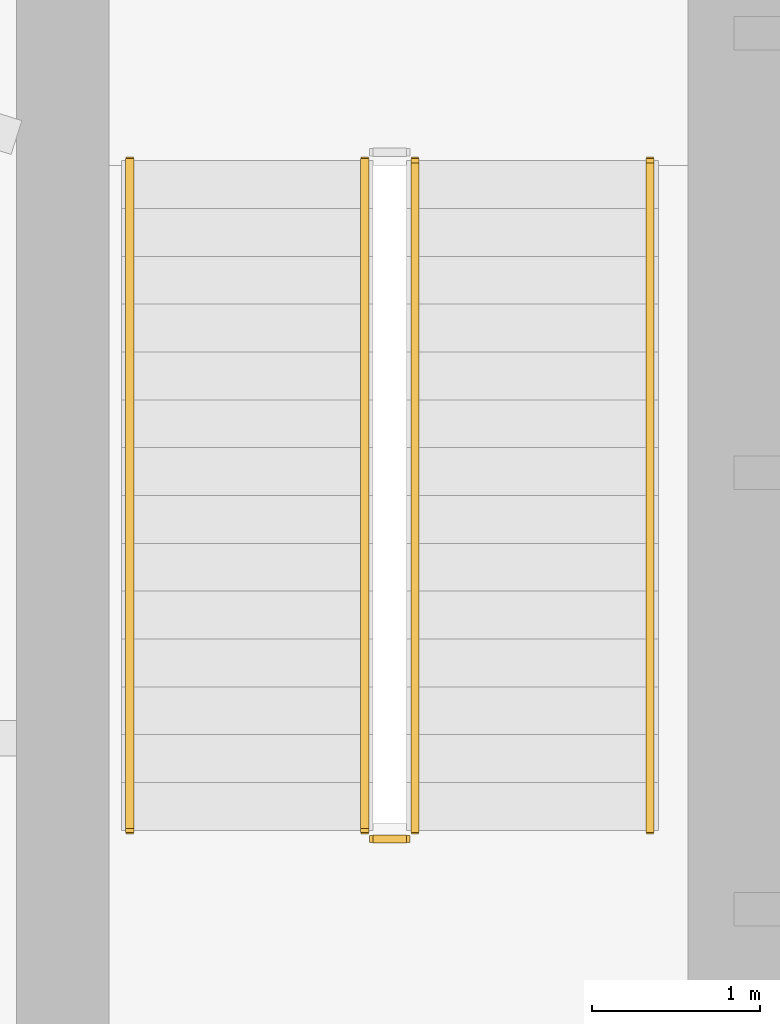
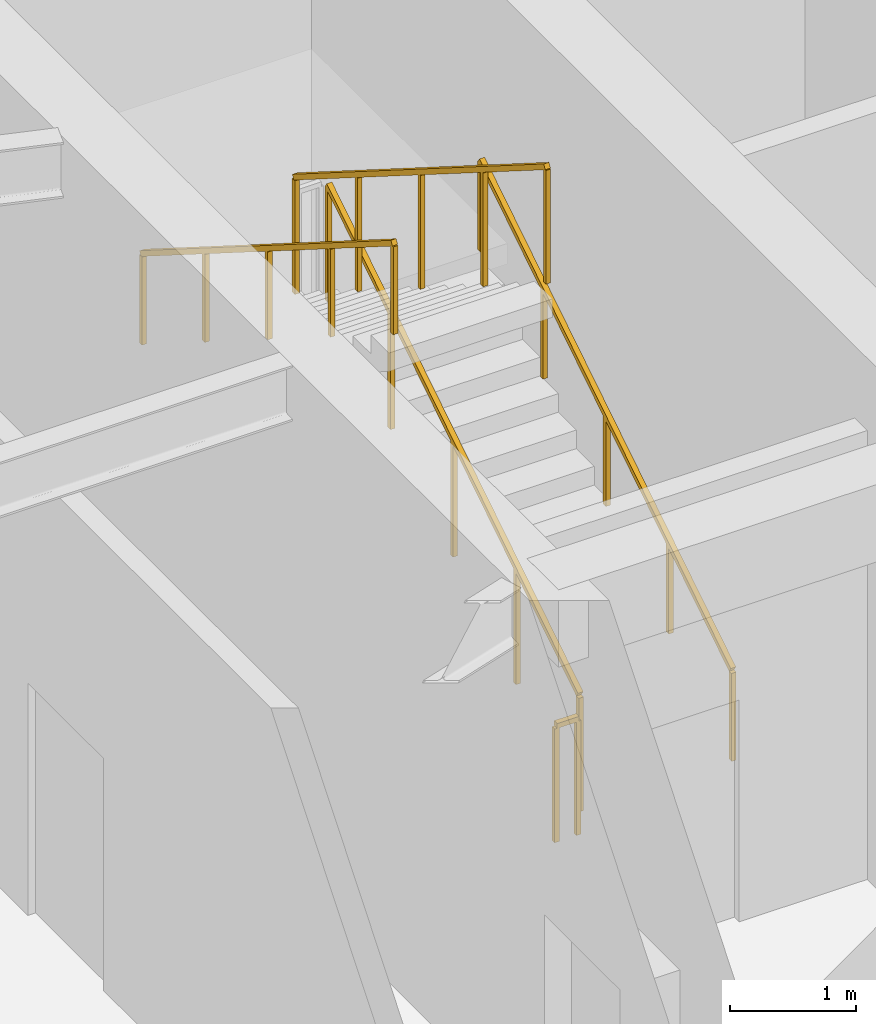
# One storey, part 23 of 25: 5 railings.
"""IFC4 building model written with IfcOpenShell, lengths in metres."""

from ifc_helpers import new_model, si_unit, direction, frame, origin, origin_2d, place, context, subcontext, project, spatial, rectangle, extrude, material, type_object, element, save


model = new_model("IFC4")

# Units and contexts
model_context = context("Model", 3, precision=1e-05, world=origin(), true_north=direction((0.0, 1.0)))
body_context = subcontext(model_context, "Body", "Model", "MODEL_VIEW")
ifc_project = project(units=[si_unit("LENGTHUNIT", "METRE"), si_unit("AREAUNIT", "SQUARE_METRE"), si_unit("VOLUMEUNIT", "CUBIC_METRE"), si_unit("PLANEANGLEUNIT", "RADIAN"), si_unit("MASSUNIT", "GRAM", prefix="KILO")], contexts=[model_context])

# Site, building, storey
site_placement = place(None, origin())
site = spatial("IfcSite", under=ifc_project, at=site_placement, CompositionType="ELEMENT")
building_placement = place(site_placement, origin())
building = spatial("IfcBuilding", under=site, at=building_placement, Name="Sarneth Arch Tower", CompositionType="ELEMENT")
storey_placement = place(building_placement, frame((0.0, 0.0, 134.39990234375)))
storey = spatial("IfcBuildingStorey", under=building, at=storey_placement, Name="L34", CompositionType="ELEMENT", Elevation=134.39990234375)

# Railings
ifc_material_1 = material(Name="Brushed Stainless Steel 304 tubular handrail", Category="steel")
railing_type_1 = type_object("IfcRailingType", Name="RAIL-HANDRAIL-900", PredefinedType="HANDRAIL", material=ifc_material_1)
railing_1_placement = place(storey_placement, frame((40.5, 41.449951171875, 0.18017578125)))
element("IfcRailing", 1, at=railing_1_placement, inside=storey, type_object=railing_type_1, Name="L34 ST-1 stair handrail 1", PredefinedType="HANDRAIL", context=body_context, shape_type="SweptSolid", body=[
    extrude(rectangle(XDim=0.048095703125, YDim=0.048095703125, at=origin_2d()), frame((0.0, 0.0, 0.8759765625), z_axis=(0.0, 0.845486444383, 0.533996884227), x_axis=(-1.0, 0.0, 0.0)), (0.0, 0.0, 1.0), 4.71923828125),
    extrude(rectangle(XDim=0.0419921875, YDim=0.0419921875, at=origin_2d()), origin(), (0.0, 0.0, 1.0), 0.851806640625),
    extrude(rectangle(XDim=0.0419921875, YDim=0.0419921875, at=origin_2d()), frame((0.0, 0.99755859375, 0.6298828125)), (0.0, 0.0, 1.0), 0.851806640625),
    extrude(rectangle(XDim=0.0419921875, YDim=0.0419921875, at=origin_2d()), frame((0.0, 1.9951171875, 1.260009765625)), (0.0, 0.0, 1.0), 0.851806640625),
    extrude(rectangle(XDim=0.0419921875, YDim=0.0419921875, at=origin_2d()), frame((0.0, 2.992431640625, 1.89013671875)), (0.0, 0.0, 1.0), 0.851806640625),
    extrude(rectangle(XDim=0.0419921875, YDim=0.0419921875, at=origin_2d()), frame((0.0, 3.989990234375, 2.52001953125)), (0.0, 0.0, 1.0), 0.851806640625),
])
railing_2_placement = place(storey_placement, frame((37.39990234375, 45.43994140625, 2.880126953125)))
element("IfcRailing", 2, at=railing_2_placement, inside=storey, type_object=railing_type_1, Name="L34 ST-1 stair handrail 2", PredefinedType="HANDRAIL", context=body_context, shape_type="SweptSolid", body=[
    extrude(rectangle(XDim=0.048095703125, YDim=0.048095703125, at=origin_2d()), frame((0.0, 0.0, 0.8759765625), z_axis=(0.0, -0.845486444383, 0.533996884227), x_axis=(1.0, 0.0, 0.0)), (0.0, 0.0, 1.0), 4.71923828125),
    extrude(rectangle(XDim=0.0419921875, YDim=0.0419921875, at=origin_2d()), origin(), (0.0, 0.0, 1.0), 0.851806640625),
    extrude(rectangle(XDim=0.0419921875, YDim=0.0419921875, at=origin_2d()), frame((0.0, -0.99755859375, 0.6298828125)), (0.0, 0.0, 1.0), 0.851806640625),
    extrude(rectangle(XDim=0.0419921875, YDim=0.0419921875, at=origin_2d()), frame((0.0, -1.9951171875, 1.260009765625)), (0.0, 0.0, 1.0), 0.851806640625),
    extrude(rectangle(XDim=0.0419921875, YDim=0.0419921875, at=origin_2d()), frame((0.0, -2.992431640625, 1.89013671875)), (0.0, 0.0, 1.0), 0.851806640625),
    extrude(rectangle(XDim=0.0419921875, YDim=0.0419921875, at=origin_2d()), frame((0.0, -3.989990234375, 2.52001953125)), (0.0, 0.0, 1.0), 0.851806640625),
])
ifc_material_2 = material(Name="Painted Steel S275 stair well guard", Category="steel")
railing_type_2 = type_object("IfcRailingType", Name="RAIL-STAIR-GUARD", PredefinedType="GUARDRAIL", material=ifc_material_2)
railing_3_placement = place(storey_placement, frame((39.10009765625, 41.449951171875, 0.18017578125)))
element("IfcRailing", 3, at=railing_3_placement, inside=storey, type_object=railing_type_2, Name="L34 ST-1 stair guard 1", PredefinedType="GUARDRAIL", context=body_context, shape_type="SweptSolid", body=[
    extrude(rectangle(XDim=0.048095703125, YDim=0.048095703125, at=origin_2d()), frame((0.0, 0.0, 1.1259765625), z_axis=(0.0, 0.845486444383, 0.533996884227), x_axis=(-1.0, 0.0, 0.0)), (0.0, 0.0, 1.0), 4.71923828125),
    extrude(rectangle(XDim=0.0419921875, YDim=0.0419921875, at=origin_2d()), origin(), (0.0, 0.0, 1.0), 1.101806640625),
    extrude(rectangle(XDim=0.0419921875, YDim=0.0419921875, at=origin_2d()), frame((0.0, 0.99755859375, 0.6298828125)), (0.0, 0.0, 1.0), 1.101806640625),
    extrude(rectangle(XDim=0.0419921875, YDim=0.0419921875, at=origin_2d()), frame((0.0, 1.9951171875, 1.260009765625)), (0.0, 0.0, 1.0), 1.101806640625),
    extrude(rectangle(XDim=0.0419921875, YDim=0.0419921875, at=origin_2d()), frame((0.0, 2.992431640625, 1.89013671875)), (0.0, 0.0, 1.0), 1.101806640625),
    extrude(rectangle(XDim=0.0419921875, YDim=0.0419921875, at=origin_2d()), frame((0.0, 3.989990234375, 2.52001953125)), (0.0, 0.0, 1.0), 1.101806640625),
])
railing_4_placement = place(storey_placement, frame((38.800048828125, 45.43994140625, 2.880126953125)))
element("IfcRailing", 4, at=railing_4_placement, inside=storey, type_object=railing_type_2, Name="L34 ST-1 stair guard 3", PredefinedType="GUARDRAIL", context=body_context, shape_type="SweptSolid", body=[
    extrude(rectangle(XDim=0.048095703125, YDim=0.048095703125, at=origin_2d()), frame((0.0, 0.0, 1.1259765625), z_axis=(0.0, -0.845486444383, 0.533996884227), x_axis=(1.0, 0.0, 0.0)), (0.0, 0.0, 1.0), 4.71923828125),
    extrude(rectangle(XDim=0.0419921875, YDim=0.0419921875, at=origin_2d()), origin(), (0.0, 0.0, 1.0), 1.101806640625),
    extrude(rectangle(XDim=0.0419921875, YDim=0.0419921875, at=origin_2d()), frame((0.0, -0.99755859375, 0.6298828125)), (0.0, 0.0, 1.0), 1.101806640625),
    extrude(rectangle(XDim=0.0419921875, YDim=0.0419921875, at=origin_2d()), frame((0.0, -1.9951171875, 1.260009765625)), (0.0, 0.0, 1.0), 1.101806640625),
    extrude(rectangle(XDim=0.0419921875, YDim=0.0419921875, at=origin_2d()), frame((0.0, -2.992431640625, 1.89013671875)), (0.0, 0.0, 1.0), 1.101806640625),
    extrude(rectangle(XDim=0.0419921875, YDim=0.0419921875, at=origin_2d()), frame((0.0, -3.989990234375, 2.52001953125)), (0.0, 0.0, 1.0), 1.101806640625),
])
railing_5_placement = place(storey_placement, frame((39.050048828125, 41.39990234375, 0.0)))
element("IfcRailing", 5, at=railing_5_placement, inside=storey, type_object=railing_type_2, Name="L34 ST-1 stair guard 4", PredefinedType="GUARDRAIL", context=body_context, shape_type="SweptSolid", body=[
    extrude(rectangle(XDim=0.048095703125, YDim=0.048095703125, at=origin_2d()), frame((0.0, 0.0, 1.1259765625), z_axis=(-1.0, 0.0, 0.0), x_axis=(0.0, -1.0, 0.0)), (0.0, 0.0, 1.0), 0.199951171875),
    extrude(rectangle(XDim=0.0419921875, YDim=0.0419921875, at=origin_2d()), origin(), (0.0, 0.0, 1.0), 1.101806640625),
    extrude(rectangle(XDim=0.0419921875, YDim=0.0419921875, at=origin_2d()), frame((-0.199951171875, 0.0, 0.0)), (0.0, 0.0, 1.0), 1.101806640625),
])

save(model, "model.ifc")
